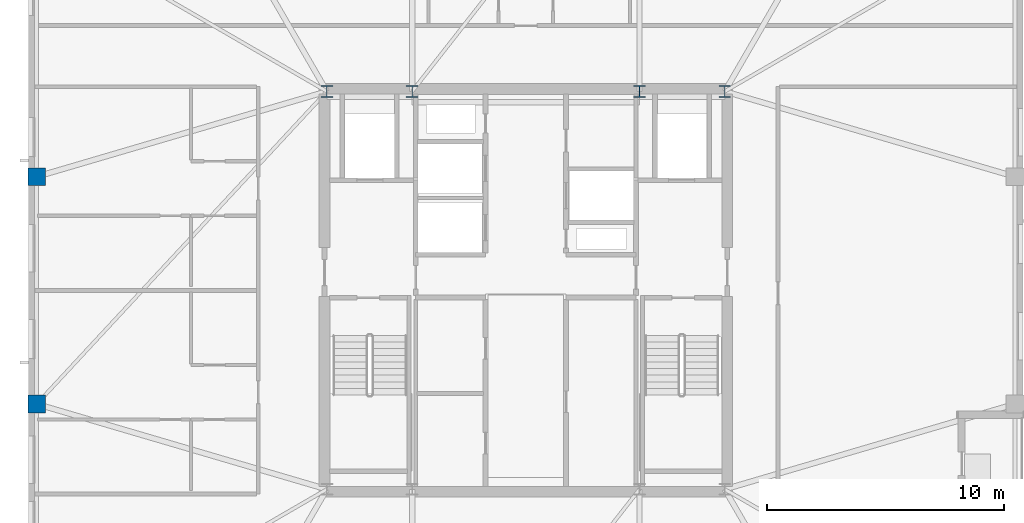
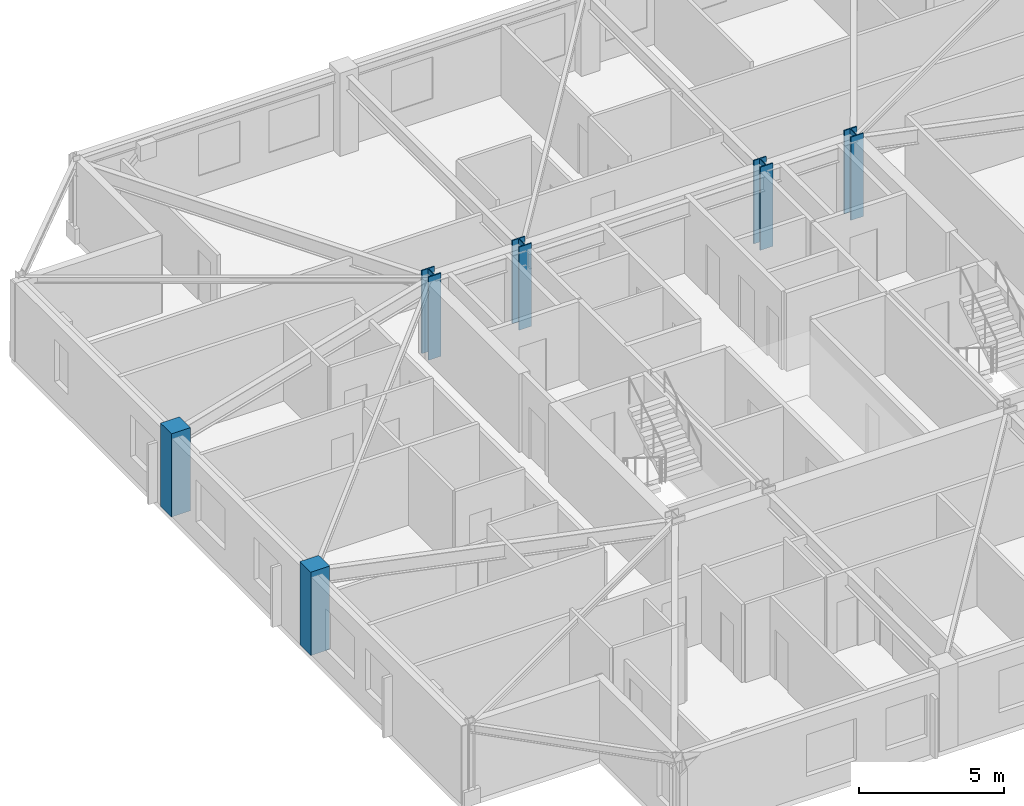
# One storey, part 2 of 15: 6 columns.
"""IFC4 building model written with IfcOpenShell, lengths in metres."""

from ifc_helpers import new_model, si_unit, direction, frame, origin, origin_2d, place, context, subcontext, project, spatial, rectangle, i_section, extrude, material, material_profile, profile_set, type_object, element, save


model = new_model("IFC4")

# Units and contexts
model_context = context("Model", 3, precision=1e-05, world=origin(), true_north=direction((0.0, 1.0)))
body_context = subcontext(model_context, "Body", "Model", "MODEL_VIEW")
ifc_project = project(units=[si_unit("LENGTHUNIT", "METRE"), si_unit("AREAUNIT", "SQUARE_METRE"), si_unit("VOLUMEUNIT", "CUBIC_METRE"), si_unit("PLANEANGLEUNIT", "RADIAN"), si_unit("MASSUNIT", "GRAM", prefix="KILO")], contexts=[model_context])

# Site, building, storey
site_placement = place(None, origin())
site = spatial("IfcSite", under=ifc_project, at=site_placement, CompositionType="ELEMENT")
building_placement = place(site_placement, origin())
building = spatial("IfcBuilding", under=site, at=building_placement, Name="Cairnveth Concourse Tower", CompositionType="ELEMENT")
storey_placement = place(building_placement, frame((0.0, 0.0, 298.0)))
storey = spatial("IfcBuildingStorey", under=building, at=storey_placement, Name="L82", CompositionType="ELEMENT", Elevation=298.0)

# Columns
ifc_material_1 = material(Name="Concrete N50 (50 MPa)", Category="concrete")
ifc_material_profile_1 = material_profile(ifc_material_1, rectangle(XDim=0.75, YDim=0.75, at=origin_2d()), Name="RC-COL-750x750")
ifc_profile_set_1 = profile_set([ifc_material_profile_1], Name="Concrete N50 (50 MPa)")
column_type_1 = type_object("IfcColumnType", Name="PERIMETER PIER COLUMN 750X750", PredefinedType="COLUMN", material=ifc_profile_set_1)
for number, where, z_axis, x_axis, name in (
    (1, (31.35009765625, 43.800048828125, 0.0), (0.0, 0.0, 1.0), (0.0, 1.0, 0.0), "Column P-W2 L82"),
    (2, (31.35009765625, 34.199951171875, 0.0), (0.0, 0.0, 1.0), (0.0, 1.0, 0.0), "Column P-W3 L82"),
):
    element("IfcColumn", number, at=place(storey_placement, frame(where, z_axis=z_axis, x_axis=x_axis)), inside=storey, type_object=column_type_1, Name=name, PredefinedType="COLUMN", context=body_context, shape_type="SweptSolid", body=[
        extrude(rectangle(XDim=0.75, YDim=0.75, at=origin_2d()), origin(), (0.0, 0.0, 1.0), 3.5),
    ])
ifc_material_2 = material(Name="Steel Grade 350", Category="steel")
ifc_material_profile_2 = material_profile(ifc_material_2, i_section(OverallWidth=0.5, OverallDepth=0.5, WebThickness=0.028076171875, FlangeThickness=0.044921875, at=origin_2d()), Name="500WC383")
ifc_profile_set_2 = profile_set([ifc_material_profile_2], Name="Steel Grade 350")
column_type_2 = type_object("IfcColumnType", Name="WELDED STEEL COLUMN 500WC383", PredefinedType="COLUMN", material=ifc_profile_set_2)
for number, where, z_axis, x_axis, name in (
    (3, (43.60009765625, 47.39990234375, 0.0), (0.0, 0.0, 1.0), (1.0, 0.0, 0.0), "Column CC5 L82"),
    (4, (47.199951171875, 47.39990234375, 0.0), (0.0, 0.0, 1.0), (1.0, 0.0, 0.0), "Column CC6 L82"),
    (5, (56.800048828125, 47.39990234375, 0.0), (0.0, 0.0, 1.0), (1.0, 0.0, 0.0), "Column CC7 L82"),
    (6, (60.39990234375, 47.39990234375, 0.0), (0.0, 0.0, 1.0), (1.0, 0.0, 0.0), "Column CC8 L82"),
):
    element("IfcColumn", number, at=place(storey_placement, frame(where, z_axis=z_axis, x_axis=x_axis)), inside=storey, type_object=column_type_2, Name=name, PredefinedType="COLUMN", context=body_context, shape_type="SweptSolid", body=[
        extrude(i_section(OverallWidth=0.5, OverallDepth=0.5, WebThickness=0.028076171875, FlangeThickness=0.044921875, at=origin_2d()), origin(), (0.0, 0.0, 1.0), 3.5),
    ])

save(model, "model.ifc")
